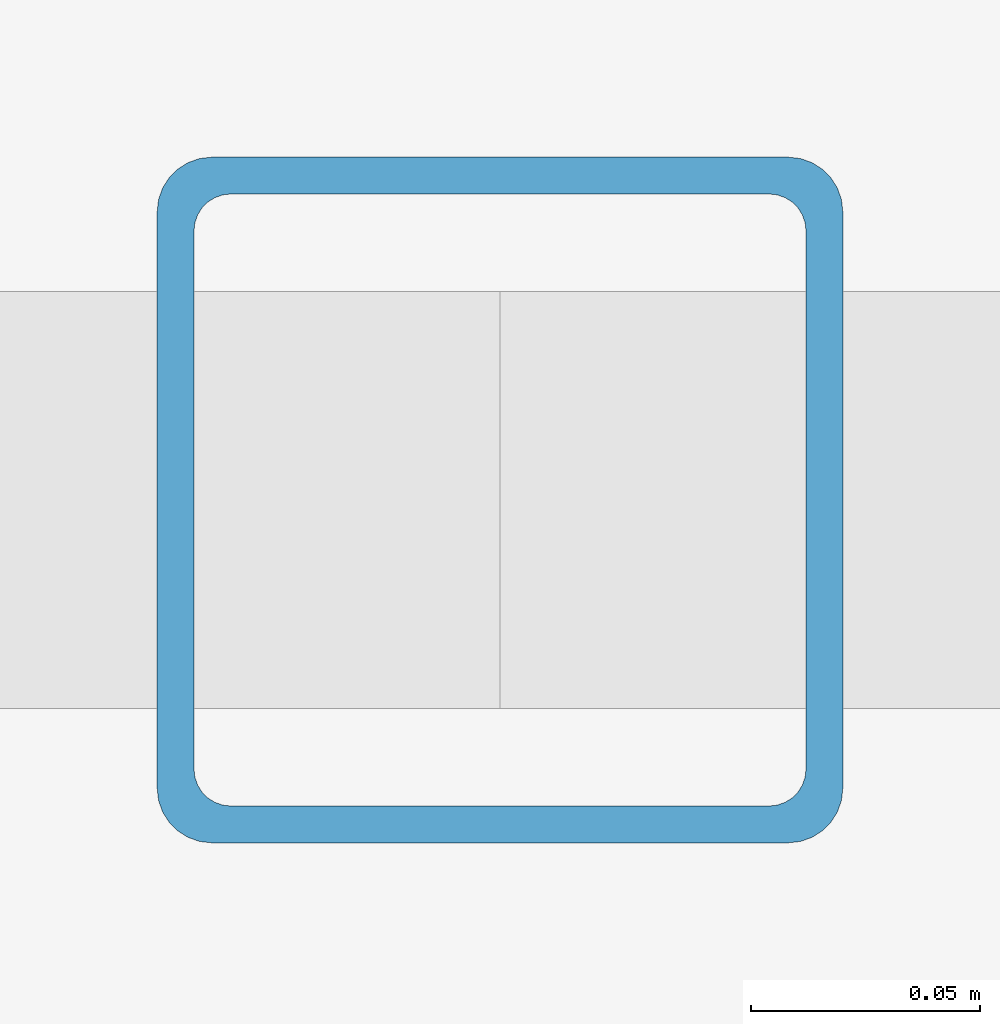
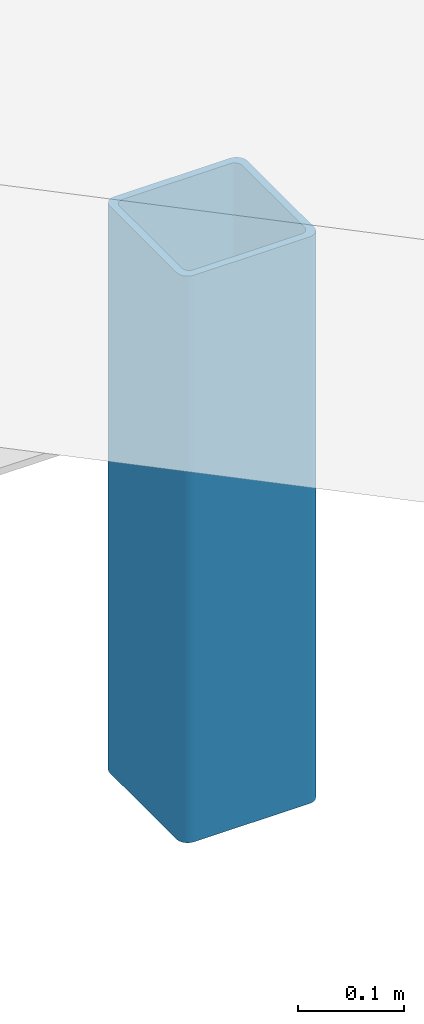
# One storey, part 33 of 46: 1 member.
"""IFC4 building model written with IfcOpenShell, lengths in metres."""

from ifc_helpers import new_model, si_unit, direction, frame, origin, origin_2d, place, context, subcontext, project, spatial, hollow_rectangle, extrude, material, material_profile, profile_set, type_object, element, save


model = new_model("IFC4")

# Units and contexts
model_context = context("Model", 3, precision=1e-05, world=origin(), true_north=direction((0.0, 1.0)))
body_context = subcontext(model_context, "Body", "Model", "MODEL_VIEW")
ifc_project = project(units=[si_unit("LENGTHUNIT", "METRE"), si_unit("AREAUNIT", "SQUARE_METRE"), si_unit("VOLUMEUNIT", "CUBIC_METRE"), si_unit("PLANEANGLEUNIT", "RADIAN"), si_unit("MASSUNIT", "GRAM", prefix="KILO")], contexts=[model_context])

# Site, building, storey
site_placement = place(None, origin())
site = spatial("IfcSite", under=ifc_project, at=site_placement, CompositionType="ELEMENT")
building_placement = place(site_placement, origin())
building = spatial("IfcBuilding", under=site, at=building_placement, Name="Shalkamar Park Central Library", CompositionType="ELEMENT")
storey_placement = place(building_placement, frame((0.0, 0.0, 20.39990234375)))
storey = spatial("IfcBuildingStorey", under=building, at=storey_placement, Name="L05", CompositionType="ELEMENT", Elevation=20.39990234375)

# Member
ifc_material = material(Name="Steel S355", Category="steel")
ifc_material_profile = material_profile(ifc_material, hollow_rectangle(XDim=0.14990234375, YDim=0.14990234375, WallThickness=0.008056640625, InnerFilletRadius=0.008056640625, OuterFilletRadius=0.011962890625, at=origin_2d()), Name="SHS 150x150x8")
ifc_profile_set = profile_set([ifc_material_profile], Name="Steel S355")
member_type = type_object("IfcMemberType", Name="Diagonal Brace SHS150", PredefinedType="BRACE", material=ifc_profile_set)
member_placement = place(storey_placement, frame((255.0, 294.719970703125, -0.35986328125), z_axis=(0.0, 0.0, 1.0), x_axis=(1.0, 0.0, 0.0)))
element("IfcMember", 1, at=member_placement, inside=storey, type_object=member_type, Name="Vault Arch Post BV-L04-N1-18.1", PredefinedType="BRACE", context=body_context, shape_type="SweptSolid", body=[
    extrude(hollow_rectangle(XDim=0.14990234375, YDim=0.14990234375, WallThickness=0.008056640625, InnerFilletRadius=0.008056640625, OuterFilletRadius=0.011962890625, at=origin_2d()), origin(), (0.0, 0.0, 1.0), 0.65283203125),
])

save(model, "model.ifc")
